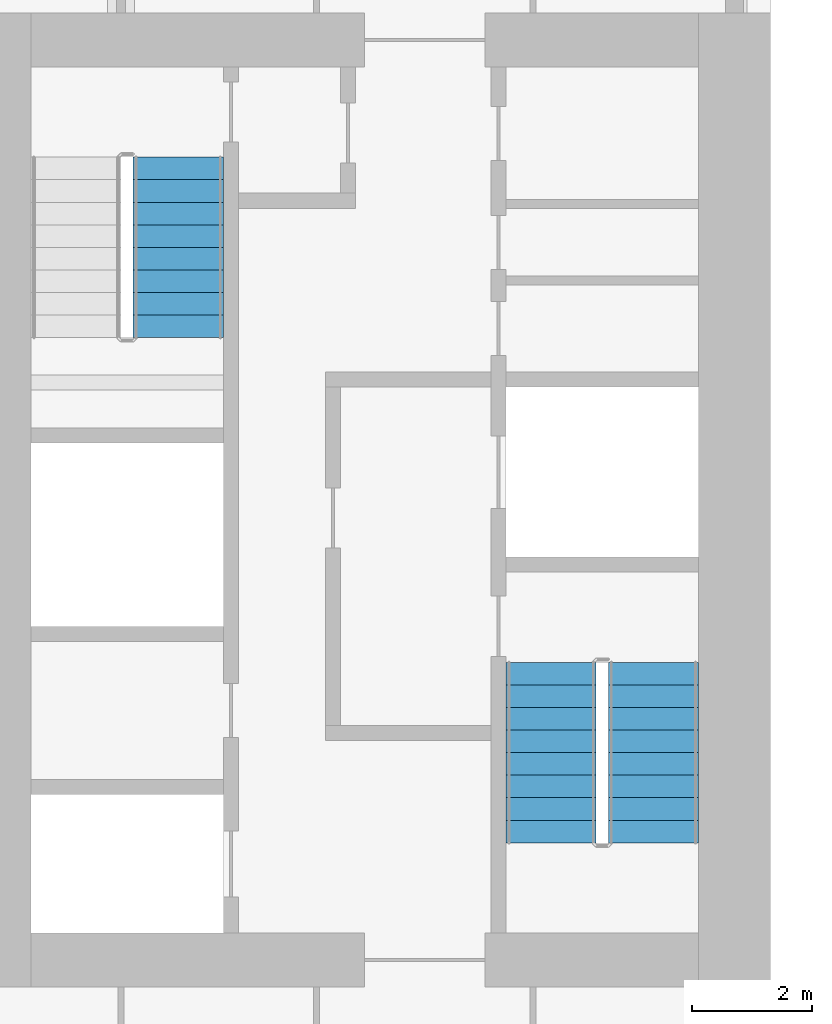
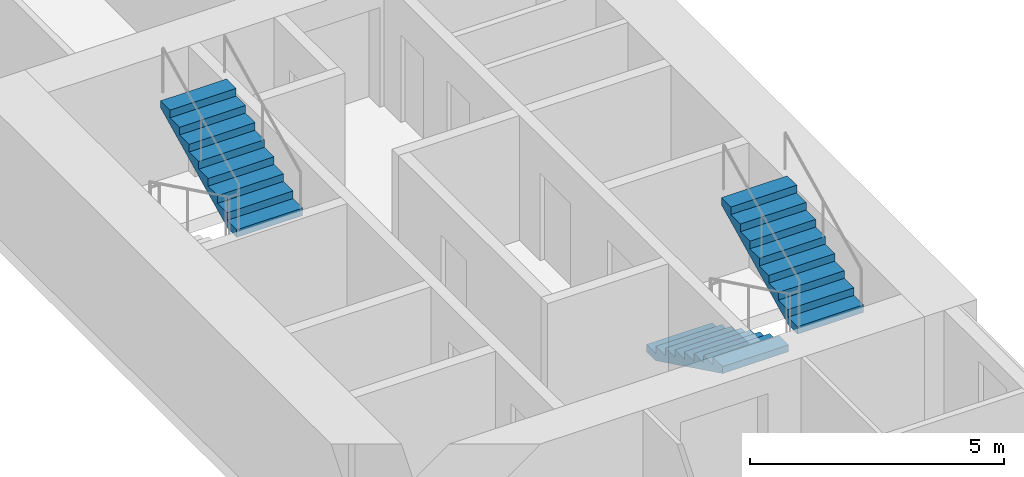
# One storey, part 12 of 14: 3 stair flights, 2 elements without a shape of their own.
"""IFC4 building model written with IfcOpenShell, lengths in metres."""

from ifc_helpers import new_model, si_unit, direction, frame, origin, place, context, subcontext, project, spatial, polyline, outline, extrude, material, type_object, element, aggregate, save


model = new_model("IFC4")

# Units and contexts
model_context = context("Model", 3, precision=1e-05, world=origin(), true_north=direction((0.0, 1.0)))
body_context = subcontext(model_context, "Body", "Model", "MODEL_VIEW")
ifc_project = project(units=[si_unit("LENGTHUNIT", "METRE"), si_unit("AREAUNIT", "SQUARE_METRE"), si_unit("VOLUMEUNIT", "CUBIC_METRE"), si_unit("PLANEANGLEUNIT", "RADIAN"), si_unit("MASSUNIT", "GRAM", prefix="KILO")], contexts=[model_context])

# Site, building, storey
site_placement = place(None, origin())
site = spatial("IfcSite", under=ifc_project, at=site_placement, CompositionType="ELEMENT")
building_placement = place(site_placement, origin())
building = spatial("IfcBuilding", under=site, at=building_placement, Name="Tabaq Tower and Sports Hall", CompositionType="ELEMENT")
storey_placement = place(building_placement, frame((0.0, 0.0, 217.0)))
storey = spatial("IfcBuildingStorey", under=building, at=storey_placement, Name="L54", CompositionType="ELEMENT", Elevation=217.0)

# Stair, stair flights
ifc_material_1 = material(Name="Concrete C40/50", Category="concrete")
stair_type = type_object("IfcStairType", Name="Exit stair", PredefinedType="HALF_TURN_STAIR", material=ifc_material_1)
stair_1_placement = place(storey_placement, origin())
stair_1 = element("IfcStair", 1, at=stair_1_placement, inside=storey, type_object=stair_type, Name="L54 Exit stair ST3", PredefinedType="HALF_TURN_STAIR")
ifc_material_2 = material(Name="Concrete C40/50", Category="concrete")
stair_flight_type = type_object("IfcStairFlightType", Name="Exit stair flight", PredefinedType="STRAIGHT", material=ifc_material_2)
stair_flight_1_placement = place(storey_placement, frame((39.550048828125, 21.60009765625, 0.0), z_axis=(0.0, 0.0, 1.0), x_axis=(0.0, -1.0, 0.0)))
stair_flight_1 = element("IfcStairFlight", 2, at=stair_flight_1_placement, type_object=stair_flight_type, Name="ST3 flight 1", NumberOfRisers=9, NumberOfTreads=8, PredefinedType="STRAIGHT", RiserHeight=0.183333333, TreadLength=0.375, context=body_context, shape_type="SweptSolid", body=[
    extrude(outline(polyline([(0.0, 0.0), (0.0, 0.183349609375), (0.375, 0.183349609375), (0.375, 0.36669921875), (0.75, 0.36669921875), (0.75, 0.550048828125), (1.125, 0.550048828125), (1.125, 0.7333984375), (1.5, 0.7333984375), (1.5, 0.916748046875), (1.875, 0.916748046875), (1.875, 1.10009765625), (2.25, 1.10009765625), (2.25, 1.283447265625), (2.625, 1.283447265625), (2.625, 1.466552734375), (3.0, 1.466552734375), (3.0, 1.64990234375), (3.0, 1.2998046875), (0.34130859375, 0.0), (0.0, 0.0)])), frame((0.0, 0.75, 0.0), z_axis=(0.0, -1.0, 0.0), x_axis=(1.0, 0.0, 0.0)), (0.0, 0.0, 1.0), 1.5),
])
stair_flight_2_placement = place(storey_placement, frame((41.25, 18.60009765625, 1.64990234375), z_axis=(0.0, 0.0, 1.0), x_axis=(0.0, 1.0, 0.0)))
stair_flight_2 = element("IfcStairFlight", 3, at=stair_flight_2_placement, type_object=stair_flight_type, Name="ST3 flight 2", NumberOfRisers=9, NumberOfTreads=8, PredefinedType="STRAIGHT", RiserHeight=0.183333333, TreadLength=0.375, context=body_context, shape_type="SweptSolid", body=[
    extrude(outline(polyline([(0.0, 0.0), (0.0, 0.183349609375), (0.375, 0.183349609375), (0.375, 0.36669921875), (0.75, 0.36669921875), (0.75, 0.550048828125), (1.125, 0.550048828125), (1.125, 0.7333984375), (1.5, 0.7333984375), (1.5, 0.916748046875), (1.875, 0.916748046875), (1.875, 1.10009765625), (2.25, 1.10009765625), (2.25, 1.283447265625), (2.625, 1.283447265625), (2.625, 1.466552734375), (3.0, 1.466552734375), (3.0, 1.64990234375), (3.0, 1.2998046875), (0.34130859375, 0.0), (0.0, 0.0)])), frame((0.0, 0.75, 0.0), z_axis=(0.0, -1.0, 0.0), x_axis=(1.0, 0.0, 0.0)), (0.0, 0.0, 1.0), 1.5),
])
aggregate(stair_1, [stair_flight_1, stair_flight_2])

# Stair, stair flight
stair_2_placement = place(storey_placement, origin())
stair_2 = element("IfcStair", 4, at=stair_2_placement, inside=storey, type_object=stair_type, Name="L54 Exit stair ST4", PredefinedType="HALF_TURN_STAIR")
stair_flight_3_placement = place(storey_placement, frame((33.35009765625, 27.0, 1.64990234375), z_axis=(0.0, 0.0, 1.0), x_axis=(0.0, 1.0, 0.0)))
stair_flight_3 = element("IfcStairFlight", 5, at=stair_flight_3_placement, type_object=stair_flight_type, Name="ST4 flight 2", NumberOfRisers=9, NumberOfTreads=8, PredefinedType="STRAIGHT", RiserHeight=0.183333333, TreadLength=0.375, context=body_context, shape_type="SweptSolid", body=[
    extrude(outline(polyline([(0.0, 0.0), (0.0, 0.183349609375), (0.375, 0.183349609375), (0.375, 0.36669921875), (0.75, 0.36669921875), (0.75, 0.550048828125), (1.125, 0.550048828125), (1.125, 0.7333984375), (1.5, 0.7333984375), (1.5, 0.916748046875), (1.875, 0.916748046875), (1.875, 1.10009765625), (2.25, 1.10009765625), (2.25, 1.283447265625), (2.625, 1.283447265625), (2.625, 1.466552734375), (3.0, 1.466552734375), (3.0, 1.64990234375), (3.0, 1.2998046875), (0.34130859375, 0.0), (0.0, 0.0)])), frame((0.0, 0.75, 0.0), z_axis=(0.0, -1.0, 0.0), x_axis=(1.0, 0.0, 0.0)), (0.0, 0.0, 1.0), 1.5),
])
aggregate(stair_2, [stair_flight_3])

save(model, "model.ifc")
